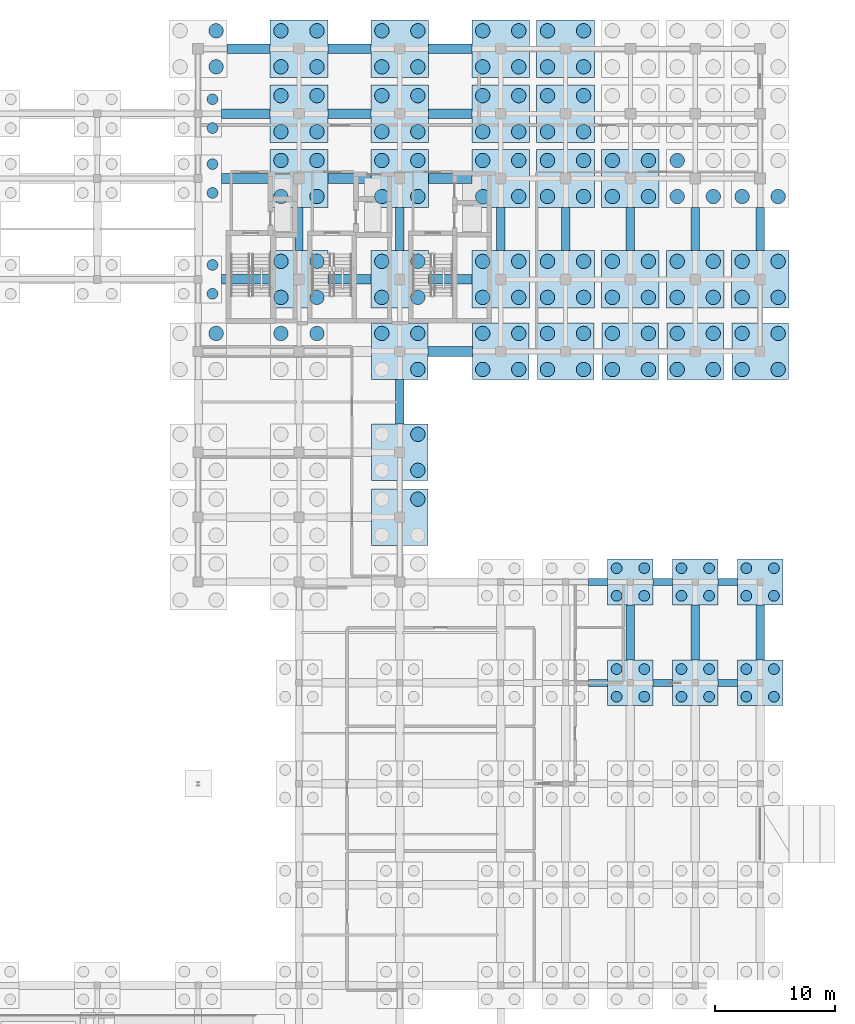
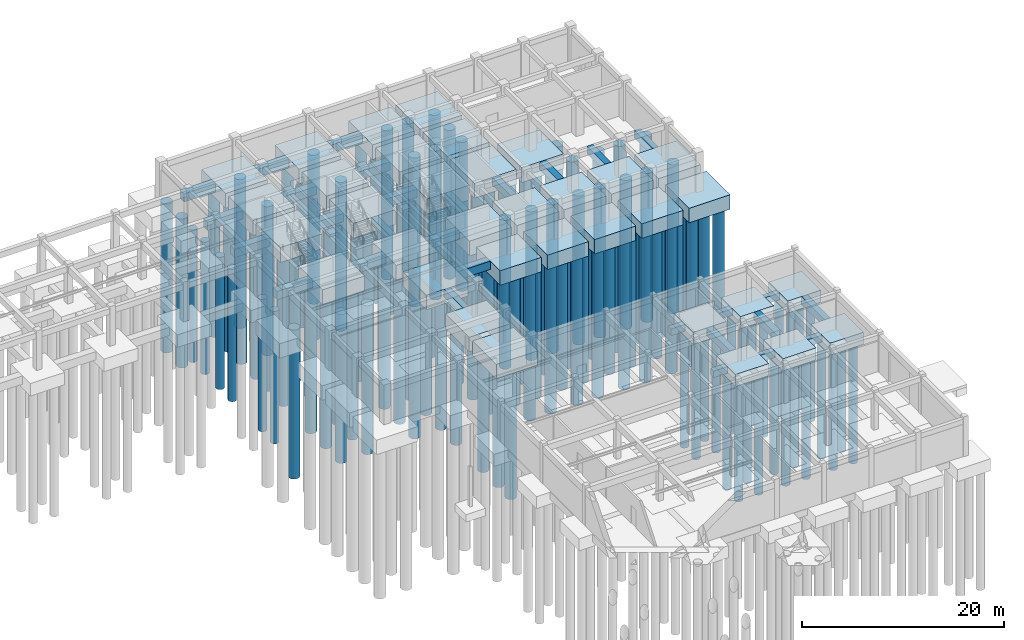
# One storey, part 9 of 49: 146 piles, 64 footings.
"""IFC4 building model written with IfcOpenShell, lengths in metres."""

from ifc_helpers import new_model, si_unit, direction, frame, origin, origin_2d, place, context, subcontext, project, spatial, rectangle, circle, extrude, material, material_profile, profile_set, type_object, element, save


model = new_model("IFC4")

# Units and contexts
model_context = context("Model", 3, precision=1e-05, world=origin(), true_north=direction((0.0, 1.0)))
body_context = subcontext(model_context, "Body", "Model", "MODEL_VIEW")
ifc_project = project(units=[si_unit("LENGTHUNIT", "METRE"), si_unit("AREAUNIT", "SQUARE_METRE"), si_unit("VOLUMEUNIT", "CUBIC_METRE"), si_unit("PLANEANGLEUNIT", "RADIAN"), si_unit("MASSUNIT", "GRAM", prefix="KILO")], contexts=[model_context])

# Site, building, storey
site_placement = place(None, origin())
site = spatial("IfcSite", under=ifc_project, at=site_placement, CompositionType="ELEMENT")
building_placement = place(site_placement, origin())
building = spatial("IfcBuilding", under=site, at=building_placement, Name="Krzemoval Escarpment Law Courts", CompositionType="ELEMENT")
storey_placement = place(building_placement, frame((0.0, 0.0, -4.800048828125)))
storey = spatial("IfcBuildingStorey", under=building, at=storey_placement, Name="B1", CompositionType="ELEMENT", Elevation=-4.800048828125)

# Footings
ifc_material_1 = material(Name="Concrete C35/45", Category="concrete")
footing_type_1 = type_object("IfcFootingType", Name="CAP-4P-3800x3800x1450", PredefinedType="PILE_CAP", material=ifc_material_1)
for number, where, z_axis, x_axis, name in (
    (1, (162.0, 66.0, -1.44970703125), (0.0, 0.0, 1.0), (1.0, 0.0, 0.0), "Pile Cap FC-245"),
    (2, (162.0, 74.39990234375, -1.44970703125), (0.0, 0.0, 1.0), (1.0, 0.0, 0.0), "Pile Cap FC-246"),
    (3, (167.39990234375, 66.0, -1.44970703125), (0.0, 0.0, 1.0), (1.0, 0.0, 0.0), "Pile Cap FC-255"),
    (4, (167.39990234375, 74.39990234375, -1.44970703125), (0.0, 0.0, 1.0), (1.0, 0.0, 0.0), "Pile Cap FC-256"),
    (5, (172.800048828125, 66.0, -1.44970703125), (0.0, 0.0, 1.0), (1.0, 0.0, 0.0), "Pile Cap FC-265"),
    (6, (172.800048828125, 74.39990234375, -1.44970703125), (0.0, 0.0, 1.0), (1.0, 0.0, 0.0), "Pile Cap FC-266"),
):
    element("IfcFooting", number, at=place(storey_placement, frame(where, z_axis=z_axis, x_axis=x_axis)), inside=storey, type_object=footing_type_1, Name=name, PredefinedType="PILE_CAP", context=body_context, shape_type="SweptSolid", body=[
        extrude(rectangle(XDim=3.800048828125, YDim=3.800048828125, at=origin_2d()), origin(), (0.0, 0.0, 1.0), 1.449951171875),
    ])
ifc_material_2 = material(Name="Concrete C35/45", Category="concrete")
footing_type_2 = type_object("IfcFootingType", Name="CAP-4P-4700x4700x1750", PredefinedType="PILE_CAP", material=ifc_material_2)
for number, where, z_axis, x_axis, name in (
    (7, (142.800048828125, 79.800048828125, -1.75), (0.0, 0.0, 1.0), (1.0, 0.0, 0.0), "Pile Cap FC-210"),
    (8, (142.800048828125, 85.199951171875, -1.75), (0.0, 0.0, 1.0), (1.0, 0.0, 0.0), "Pile Cap FC-211"),
    (9, (142.800048828125, 93.60009765625, -1.75), (0.0, 0.0, 1.0), (1.0, 0.0, 0.0), "Pile Cap FC-212"),
    (10, (151.199951171875, 93.60009765625, -1.75), (0.0, 0.0, 1.0), (1.0, 0.0, 0.0), "Pile Cap FC-227"),
    (11, (156.60009765625, 93.60009765625, -1.75), (0.0, 0.0, 1.0), (1.0, 0.0, 0.0), "Pile Cap FC-237"),
    (12, (162.0, 93.60009765625, -1.75), (0.0, 0.0, 1.0), (1.0, 0.0, 0.0), "Pile Cap FC-247"),
    (13, (167.39990234375, 93.60009765625, -1.75), (0.0, 0.0, 1.0), (1.0, 0.0, 0.0), "Pile Cap FC-257"),
    (14, (172.800048828125, 93.60009765625, -1.75), (0.0, 0.0, 1.0), (1.0, 0.0, 0.0), "Pile Cap FC-267"),
):
    element("IfcFooting", number, at=place(storey_placement, frame(where, z_axis=z_axis, x_axis=x_axis)), inside=storey, type_object=footing_type_2, Name=name, PredefinedType="PILE_CAP", context=body_context, shape_type="SweptSolid", body=[
        extrude(rectangle(XDim=4.699951171875, YDim=4.699951171875, at=origin_2d()), origin(), (0.0, 0.0, 1.0), 1.75),
    ])
ifc_material_3 = material(Name="Concrete C35/45", Category="concrete")
footing_type_3 = type_object("IfcFootingType", Name="CAP-4P-4800x4800x1800", PredefinedType="PILE_CAP", material=ifc_material_3)
for number, where, z_axis, x_axis, name in (
    (15, (134.39990234375, 99.60009765625, -1.7998046875), (0.0, 0.0, 1.0), (1.0, 0.0, 0.0), "Pile Cap FC-196"),
    (16, (134.39990234375, 108.0, -1.7998046875), (0.0, 0.0, 1.0), (1.0, 0.0, 0.0), "Pile Cap FC-197"),
    (17, (134.39990234375, 113.39990234375, -1.7998046875), (0.0, 0.0, 1.0), (1.0, 0.0, 0.0), "Pile Cap FC-198"),
    (18, (134.39990234375, 118.800048828125, -1.7998046875), (0.0, 0.0, 1.0), (1.0, 0.0, 0.0), "Pile Cap FC-199"),
    (19, (142.800048828125, 99.60009765625, -1.7998046875), (0.0, 0.0, 1.0), (1.0, 0.0, 0.0), "Pile Cap FC-213"),
    (20, (142.800048828125, 108.0, -1.7998046875), (0.0, 0.0, 1.0), (1.0, 0.0, 0.0), "Pile Cap FC-214"),
    (21, (142.800048828125, 113.39990234375, -1.7998046875), (0.0, 0.0, 1.0), (1.0, 0.0, 0.0), "Pile Cap FC-215"),
    (22, (142.800048828125, 118.800048828125, -1.7998046875), (0.0, 0.0, 1.0), (1.0, 0.0, 0.0), "Pile Cap FC-216"),
    (23, (151.199951171875, 99.60009765625, -1.7998046875), (0.0, 0.0, 1.0), (1.0, 0.0, 0.0), "Pile Cap FC-228"),
    (24, (151.199951171875, 108.0, -1.7998046875), (0.0, 0.0, 1.0), (1.0, 0.0, 0.0), "Pile Cap FC-229"),
    (25, (151.199951171875, 113.39990234375, -1.7998046875), (0.0, 0.0, 1.0), (1.0, 0.0, 0.0), "Pile Cap FC-230"),
    (26, (151.199951171875, 118.800048828125, -1.7998046875), (0.0, 0.0, 1.0), (1.0, 0.0, 0.0), "Pile Cap FC-231"),
    (27, (156.60009765625, 99.60009765625, -1.7998046875), (0.0, 0.0, 1.0), (1.0, 0.0, 0.0), "Pile Cap FC-238"),
    (28, (156.60009765625, 108.0, -1.7998046875), (0.0, 0.0, 1.0), (1.0, 0.0, 0.0), "Pile Cap FC-239"),
    (29, (156.60009765625, 113.39990234375, -1.7998046875), (0.0, 0.0, 1.0), (1.0, 0.0, 0.0), "Pile Cap FC-240"),
    (30, (156.60009765625, 118.800048828125, -1.7998046875), (0.0, 0.0, 1.0), (1.0, 0.0, 0.0), "Pile Cap FC-241"),
    (31, (162.0, 99.60009765625, -1.7998046875), (0.0, 0.0, 1.0), (1.0, 0.0, 0.0), "Pile Cap FC-248"),
    (32, (162.0, 108.0, -1.7998046875), (0.0, 0.0, 1.0), (1.0, 0.0, 0.0), "Pile Cap FC-249"),
    (33, (167.39990234375, 99.60009765625, -1.7998046875), (0.0, 0.0, 1.0), (1.0, 0.0, 0.0), "Pile Cap FC-258"),
    (34, (172.800048828125, 99.60009765625, -1.7998046875), (0.0, 0.0, 1.0), (1.0, 0.0, 0.0), "Pile Cap FC-268"),
):
    element("IfcFooting", number, at=place(storey_placement, frame(where, z_axis=z_axis, x_axis=x_axis)), inside=storey, type_object=footing_type_3, Name=name, PredefinedType="PILE_CAP", context=body_context, shape_type="SweptSolid", body=[
        extrude(rectangle(XDim=4.800048828125, YDim=4.800048828125, at=origin_2d()), origin(), (0.0, 0.0, 1.0), 1.800048828125),
    ])
ifc_material_4 = material(Name="Concrete C35/45", Category="concrete")
footing_type_4 = type_object("IfcFootingType", Name="GB-600x800-L1600", PredefinedType="FOOTING_BEAM", material=ifc_material_4)
for number, where, z_axis, x_axis, name in (
    (35, (159.300048828125, 66.0, -0.7998046875), (0.0, 0.0, 1.0), (1.0, 0.0, 0.0), "Ground Tie Beam GB-119"),
    (36, (164.699951171875, 66.0, -0.7998046875), (0.0, 0.0, 1.0), (1.0, 0.0, 0.0), "Ground Tie Beam GB-120"),
    (37, (170.10009765625, 66.0, -0.7998046875), (0.0, 0.0, 1.0), (1.0, 0.0, 0.0), "Ground Tie Beam GB-121"),
    (38, (159.300048828125, 74.39990234375, -0.7998046875), (0.0, 0.0, 1.0), (1.0, 0.0, 0.0), "Ground Tie Beam GB-130"),
    (39, (164.699951171875, 74.39990234375, -0.7998046875), (0.0, 0.0, 1.0), (1.0, 0.0, 0.0), "Ground Tie Beam GB-131"),
    (40, (170.10009765625, 74.39990234375, -0.7998046875), (0.0, 0.0, 1.0), (1.0, 0.0, 0.0), "Ground Tie Beam GB-132"),
):
    element("IfcFooting", number, at=place(storey_placement, frame(where, z_axis=z_axis, x_axis=x_axis)), inside=storey, type_object=footing_type_4, Name=name, PredefinedType="FOOTING_BEAM", context=body_context, shape_type="SweptSolid", body=[
        extrude(rectangle(XDim=1.60009765625, YDim=0.60009765625, at=origin_2d()), origin(), (0.0, 0.0, 1.0), 0.800048828125),
    ])
ifc_material_5 = material(Name="Concrete C35/45", Category="concrete")
footing_type_5 = type_object("IfcFootingType", Name="GB-700x900-L3600", PredefinedType="FOOTING_BEAM", material=ifc_material_5)
for number, where, z_axis, x_axis, name in (
    (41, (134.39990234375, 103.800048828125, -0.89990234375), (0.0, 0.0, 1.0), (0.0, 1.0, 0.0), "Ground Tie Beam GB-364"),
    (42, (142.800048828125, 103.800048828125, -0.89990234375), (0.0, 0.0, 1.0), (0.0, 1.0, 0.0), "Ground Tie Beam GB-374"),
    (43, (151.199951171875, 103.800048828125, -0.89990234375), (0.0, 0.0, 1.0), (0.0, 1.0, 0.0), "Ground Tie Beam GB-383"),
    (44, (156.60009765625, 103.800048828125, -0.89990234375), (0.0, 0.0, 1.0), (0.0, 1.0, 0.0), "Ground Tie Beam GB-388"),
    (45, (162.0, 103.800048828125, -0.89990234375), (0.0, 0.0, 1.0), (0.0, 1.0, 0.0), "Ground Tie Beam GB-393"),
    (46, (167.39990234375, 103.800048828125, -0.89990234375), (0.0, 0.0, 1.0), (0.0, 1.0, 0.0), "Ground Tie Beam GB-398"),
    (47, (172.800048828125, 103.800048828125, -0.89990234375), (0.0, 0.0, 1.0), (0.0, 1.0, 0.0), "Ground Tie Beam GB-403"),
):
    element("IfcFooting", number, at=place(storey_placement, frame(where, z_axis=z_axis, x_axis=x_axis)), inside=storey, type_object=footing_type_5, Name=name, PredefinedType="FOOTING_BEAM", context=body_context, shape_type="SweptSolid", body=[
        extrude(rectangle(XDim=3.60009765625, YDim=0.699951171875, at=origin_2d()), origin(), (0.0, 0.0, 1.0), 0.89990234375),
    ])
ifc_material_6 = material(Name="Concrete C35/45", Category="concrete")
footing_type_6 = type_object("IfcFootingType", Name="GB-700x900-L3700", PredefinedType="FOOTING_BEAM", material=ifc_material_6)
footing_1_placement = place(storey_placement, frame((142.800048828125, 89.39990234375, -0.89990234375), z_axis=(0.0, 0.0, 1.0), x_axis=(0.0, 1.0, 0.0)))
element("IfcFooting", 48, at=footing_1_placement, inside=storey, type_object=footing_type_6, Name="Ground Tie Beam GB-373", PredefinedType="FOOTING_BEAM", context=body_context, shape_type="SweptSolid", body=[
    extrude(rectangle(XDim=3.699951171875, YDim=0.699951171875, at=origin_2d()), origin(), (0.0, 0.0, 1.0), 0.89990234375),
])
ifc_material_7 = material(Name="Concrete C35/45", Category="concrete")
footing_type_7 = type_object("IfcFootingType", Name="GB-700x900-L4600", PredefinedType="FOOTING_BEAM", material=ifc_material_7)
for number, where, z_axis, x_axis, name in (
    (49, (162.0, 70.199951171875, -0.89990234375), (0.0, 0.0, 1.0), (0.0, 1.0, 0.0), "Ground Tie Beam GB-392"),
    (50, (167.39990234375, 70.199951171875, -0.89990234375), (0.0, 0.0, 1.0), (0.0, 1.0, 0.0), "Ground Tie Beam GB-397"),
    (51, (172.800048828125, 70.199951171875, -0.89990234375), (0.0, 0.0, 1.0), (0.0, 1.0, 0.0), "Ground Tie Beam GB-402"),
):
    element("IfcFooting", number, at=place(storey_placement, frame(where, z_axis=z_axis, x_axis=x_axis)), inside=storey, type_object=footing_type_7, Name=name, PredefinedType="FOOTING_BEAM", context=body_context, shape_type="SweptSolid", body=[
        extrude(rectangle(XDim=4.60009765625, YDim=0.699951171875, at=origin_2d()), origin(), (0.0, 0.0, 1.0), 0.89990234375),
    ])
ifc_material_8 = material(Name="Concrete C35/45", Category="concrete")
footing_type_8 = type_object("IfcFootingType", Name="GB-800x1000-L3600", PredefinedType="FOOTING_BEAM", material=ifc_material_8)
for number, where, z_axis, x_axis, name in (
    (52, (138.60009765625, 99.60009765625, -1.0), (0.0, 0.0, 1.0), (1.0, 0.0, 0.0), "Ground Tie Beam GB-168"),
    (53, (147.0, 99.60009765625, -1.0), (0.0, 0.0, 1.0), (1.0, 0.0, 0.0), "Ground Tie Beam GB-169"),
    (54, (138.60009765625, 108.0, -1.0), (0.0, 0.0, 1.0), (1.0, 0.0, 0.0), "Ground Tie Beam GB-186"),
    (55, (147.0, 108.0, -1.0), (0.0, 0.0, 1.0), (1.0, 0.0, 0.0), "Ground Tie Beam GB-187"),
    (56, (138.60009765625, 113.39990234375, -1.0), (0.0, 0.0, 1.0), (1.0, 0.0, 0.0), "Ground Tie Beam GB-204"),
    (57, (147.0, 113.39990234375, -1.0), (0.0, 0.0, 1.0), (1.0, 0.0, 0.0), "Ground Tie Beam GB-205"),
    (58, (130.199951171875, 118.800048828125, -1.0), (0.0, 0.0, 1.0), (1.0, 0.0, 0.0), "Ground Tie Beam GB-211"),
    (59, (138.60009765625, 118.800048828125, -1.0), (0.0, 0.0, 1.0), (1.0, 0.0, 0.0), "Ground Tie Beam GB-212"),
    (60, (147.0, 118.800048828125, -1.0), (0.0, 0.0, 1.0), (1.0, 0.0, 0.0), "Ground Tie Beam GB-213"),
):
    element("IfcFooting", number, at=place(storey_placement, frame(where, z_axis=z_axis, x_axis=x_axis)), inside=storey, type_object=footing_type_8, Name=name, PredefinedType="FOOTING_BEAM", context=body_context, shape_type="SweptSolid", body=[
        extrude(rectangle(XDim=3.60009765625, YDim=0.800048828125, at=origin_2d()), origin(), (0.0, 0.0, 1.0), 1.0),
    ])
ifc_material_9 = material(Name="Concrete C35/45", Category="concrete")
footing_type_9 = type_object("IfcFootingType", Name="GB-800x1000-L3700", PredefinedType="FOOTING_BEAM", material=ifc_material_9)
footing_2_placement = place(storey_placement, frame((147.0, 93.60009765625, -1.0), z_axis=(0.0, 0.0, 1.0), x_axis=(1.0, 0.0, 0.0)))
element("IfcFooting", 61, at=footing_2_placement, inside=storey, type_object=footing_type_9, Name="Ground Tie Beam GB-151", PredefinedType="FOOTING_BEAM", context=body_context, shape_type="SweptSolid", body=[
    extrude(rectangle(XDim=3.699951171875, YDim=0.800048828125, at=origin_2d()), origin(), (0.0, 0.0, 1.0), 1.0),
])
ifc_material_10 = material(Name="Concrete C35/45", Category="concrete")
footing_type_10 = type_object("IfcFootingType", Name="GB-800x1000-L4050", PredefinedType="FOOTING_BEAM", material=ifc_material_10)
for number, where, z_axis, x_axis, name in (
    (62, (129.97509765625, 99.60009765625, -1.0), (0.0, 0.0, 1.0), (1.0, 0.0, 0.0), "Ground Tie Beam GB-167"),
    (63, (129.97509765625, 108.0, -1.0), (0.0, 0.0, 1.0), (1.0, 0.0, 0.0), "Ground Tie Beam GB-185"),
    (64, (129.97509765625, 113.39990234375, -1.0), (0.0, 0.0, 1.0), (1.0, 0.0, 0.0), "Ground Tie Beam GB-203"),
):
    element("IfcFooting", number, at=place(storey_placement, frame(where, z_axis=z_axis, x_axis=x_axis)), inside=storey, type_object=footing_type_10, Name=name, PredefinedType="FOOTING_BEAM", context=body_context, shape_type="SweptSolid", body=[
        extrude(rectangle(XDim=4.050048828125, YDim=0.800048828125, at=origin_2d()), origin(), (0.0, 0.0, 1.0), 1.0),
    ])

# Piles
ifc_material_11 = material(Name="Concrete C35/45", Category="concrete")
ifc_material_profile_1 = material_profile(ifc_material_11, circle(Radius=0.60009765625, at=origin_2d()), Name="PILE D1200")
ifc_profile_set_1 = profile_set([ifc_material_profile_1], Name="Concrete C35/45")
pile_type_1 = type_object("IfcPileType", Name="PILE-D1200-18M", PredefinedType="BORED", material=ifc_profile_set_1)
for number, where, z_axis, x_axis, name in (
    (65, (127.5, 95.10009765625, -1.599853515625), (0.0, 0.0, -1.0), (1.0, 0.0, 0.0), "Bored Pile FP-0654"),
    (66, (127.5, 117.300048828125, -1.64990234375), (0.0, 0.0, -1.0), (1.0, 0.0, 0.0), "Bored Pile FP-0668"),
    (67, (127.5, 120.300048828125, -1.64990234375), (0.0, 0.0, -1.0), (1.0, 0.0, 0.0), "Bored Pile FP-0670"),
    (68, (132.89990234375, 95.10009765625, -1.599853515625), (0.0, 0.0, -1.0), (1.0, 0.0, 0.0), "Bored Pile FP-0721"),
    (69, (135.89990234375, 95.10009765625, -1.599853515625), (0.0, 0.0, -1.0), (1.0, 0.0, 0.0), "Bored Pile FP-0722"),
    (70, (132.89990234375, 98.10009765625, -1.64990234375), (0.0, 0.0, -1.0), (1.0, 0.0, 0.0), "Bored Pile FP-0723"),
    (71, (135.89990234375, 98.10009765625, -1.64990234375), (0.0, 0.0, -1.0), (1.0, 0.0, 0.0), "Bored Pile FP-0724"),
    (72, (132.89990234375, 101.10009765625, -1.64990234375), (0.0, 0.0, -1.0), (1.0, 0.0, 0.0), "Bored Pile FP-0725"),
    (73, (135.89990234375, 101.10009765625, -1.64990234375), (0.0, 0.0, -1.0), (1.0, 0.0, 0.0), "Bored Pile FP-0726"),
    (74, (132.89990234375, 106.5, -1.64990234375), (0.0, 0.0, -1.0), (1.0, 0.0, 0.0), "Bored Pile FP-0727"),
    (75, (135.89990234375, 106.5, -1.64990234375), (0.0, 0.0, -1.0), (1.0, 0.0, 0.0), "Bored Pile FP-0728"),
    (76, (132.89990234375, 109.5, -1.64990234375), (0.0, 0.0, -1.0), (1.0, 0.0, 0.0), "Bored Pile FP-0729"),
    (77, (135.89990234375, 109.5, -1.64990234375), (0.0, 0.0, -1.0), (1.0, 0.0, 0.0), "Bored Pile FP-0730"),
    (78, (132.89990234375, 111.89990234375, -1.64990234375), (0.0, 0.0, -1.0), (1.0, 0.0, 0.0), "Bored Pile FP-0731"),
    (79, (135.89990234375, 111.89990234375, -1.64990234375), (0.0, 0.0, -1.0), (1.0, 0.0, 0.0), "Bored Pile FP-0732"),
    (80, (132.89990234375, 114.89990234375, -1.64990234375), (0.0, 0.0, -1.0), (1.0, 0.0, 0.0), "Bored Pile FP-0733"),
    (81, (135.89990234375, 114.89990234375, -1.64990234375), (0.0, 0.0, -1.0), (1.0, 0.0, 0.0), "Bored Pile FP-0734"),
    (82, (132.89990234375, 117.300048828125, -1.64990234375), (0.0, 0.0, -1.0), (1.0, 0.0, 0.0), "Bored Pile FP-0735"),
    (83, (135.89990234375, 117.300048828125, -1.64990234375), (0.0, 0.0, -1.0), (1.0, 0.0, 0.0), "Bored Pile FP-0736"),
    (84, (132.89990234375, 120.300048828125, -1.64990234375), (0.0, 0.0, -1.0), (1.0, 0.0, 0.0), "Bored Pile FP-0737"),
    (85, (135.89990234375, 120.300048828125, -1.64990234375), (0.0, 0.0, -1.0), (1.0, 0.0, 0.0), "Bored Pile FP-0738"),
    (86, (144.300048828125, 81.300048828125, -1.599853515625), (0.0, 0.0, -1.0), (1.0, 0.0, 0.0), "Bored Pile FP-0782"),
    (87, (144.300048828125, 83.699951171875, -1.599853515625), (0.0, 0.0, -1.0), (1.0, 0.0, 0.0), "Bored Pile FP-0784"),
    (88, (144.300048828125, 86.699951171875, -1.599853515625), (0.0, 0.0, -1.0), (1.0, 0.0, 0.0), "Bored Pile FP-0786"),
    (89, (144.300048828125, 92.10009765625, -1.599853515625), (0.0, 0.0, -1.0), (1.0, 0.0, 0.0), "Bored Pile FP-0788"),
    (90, (141.300048828125, 95.10009765625, -1.599853515625), (0.0, 0.0, -1.0), (1.0, 0.0, 0.0), "Bored Pile FP-0789"),
    (91, (144.300048828125, 95.10009765625, -1.599853515625), (0.0, 0.0, -1.0), (1.0, 0.0, 0.0), "Bored Pile FP-0790"),
    (92, (141.300048828125, 98.10009765625, -1.64990234375), (0.0, 0.0, -1.0), (1.0, 0.0, 0.0), "Bored Pile FP-0791"),
    (93, (144.300048828125, 98.10009765625, -1.64990234375), (0.0, 0.0, -1.0), (1.0, 0.0, 0.0), "Bored Pile FP-0792"),
    (94, (141.300048828125, 101.10009765625, -1.64990234375), (0.0, 0.0, -1.0), (1.0, 0.0, 0.0), "Bored Pile FP-0793"),
    (95, (144.300048828125, 101.10009765625, -1.64990234375), (0.0, 0.0, -1.0), (1.0, 0.0, 0.0), "Bored Pile FP-0794"),
    (96, (141.300048828125, 106.5, -1.64990234375), (0.0, 0.0, -1.0), (1.0, 0.0, 0.0), "Bored Pile FP-0795"),
    (97, (144.300048828125, 106.5, -1.64990234375), (0.0, 0.0, -1.0), (1.0, 0.0, 0.0), "Bored Pile FP-0796"),
    (98, (141.300048828125, 109.5, -1.64990234375), (0.0, 0.0, -1.0), (1.0, 0.0, 0.0), "Bored Pile FP-0797"),
    (99, (144.300048828125, 109.5, -1.64990234375), (0.0, 0.0, -1.0), (1.0, 0.0, 0.0), "Bored Pile FP-0798"),
    (100, (141.300048828125, 111.89990234375, -1.64990234375), (0.0, 0.0, -1.0), (1.0, 0.0, 0.0), "Bored Pile FP-0799"),
    (101, (144.300048828125, 111.89990234375, -1.64990234375), (0.0, 0.0, -1.0), (1.0, 0.0, 0.0), "Bored Pile FP-0800"),
    (102, (141.300048828125, 114.89990234375, -1.64990234375), (0.0, 0.0, -1.0), (1.0, 0.0, 0.0), "Bored Pile FP-0801"),
    (103, (144.300048828125, 114.89990234375, -1.64990234375), (0.0, 0.0, -1.0), (1.0, 0.0, 0.0), "Bored Pile FP-0802"),
    (104, (141.300048828125, 117.300048828125, -1.64990234375), (0.0, 0.0, -1.0), (1.0, 0.0, 0.0), "Bored Pile FP-0803"),
    (105, (144.300048828125, 117.300048828125, -1.64990234375), (0.0, 0.0, -1.0), (1.0, 0.0, 0.0), "Bored Pile FP-0804"),
    (106, (141.300048828125, 120.300048828125, -1.64990234375), (0.0, 0.0, -1.0), (1.0, 0.0, 0.0), "Bored Pile FP-0805"),
    (107, (144.300048828125, 120.300048828125, -1.64990234375), (0.0, 0.0, -1.0), (1.0, 0.0, 0.0), "Bored Pile FP-0806"),
    (108, (149.699951171875, 92.10009765625, -1.599853515625), (0.0, 0.0, -1.0), (1.0, 0.0, 0.0), "Bored Pile FP-0847"),
    (109, (152.699951171875, 92.10009765625, -1.599853515625), (0.0, 0.0, -1.0), (1.0, 0.0, 0.0), "Bored Pile FP-0848"),
    (110, (149.699951171875, 95.10009765625, -1.599853515625), (0.0, 0.0, -1.0), (1.0, 0.0, 0.0), "Bored Pile FP-0849"),
    (111, (152.699951171875, 95.10009765625, -1.599853515625), (0.0, 0.0, -1.0), (1.0, 0.0, 0.0), "Bored Pile FP-0850"),
    (112, (149.699951171875, 98.10009765625, -1.64990234375), (0.0, 0.0, -1.0), (1.0, 0.0, 0.0), "Bored Pile FP-0851"),
    (113, (152.699951171875, 98.10009765625, -1.64990234375), (0.0, 0.0, -1.0), (1.0, 0.0, 0.0), "Bored Pile FP-0852"),
    (114, (149.699951171875, 101.10009765625, -1.64990234375), (0.0, 0.0, -1.0), (1.0, 0.0, 0.0), "Bored Pile FP-0853"),
    (115, (152.699951171875, 101.10009765625, -1.64990234375), (0.0, 0.0, -1.0), (1.0, 0.0, 0.0), "Bored Pile FP-0854"),
    (116, (149.699951171875, 106.5, -1.64990234375), (0.0, 0.0, -1.0), (1.0, 0.0, 0.0), "Bored Pile FP-0855"),
    (117, (152.699951171875, 106.5, -1.64990234375), (0.0, 0.0, -1.0), (1.0, 0.0, 0.0), "Bored Pile FP-0856"),
    (118, (149.699951171875, 109.5, -1.64990234375), (0.0, 0.0, -1.0), (1.0, 0.0, 0.0), "Bored Pile FP-0857"),
    (119, (152.699951171875, 109.5, -1.64990234375), (0.0, 0.0, -1.0), (1.0, 0.0, 0.0), "Bored Pile FP-0858"),
    (120, (149.699951171875, 111.89990234375, -1.64990234375), (0.0, 0.0, -1.0), (1.0, 0.0, 0.0), "Bored Pile FP-0859"),
    (121, (152.699951171875, 111.89990234375, -1.64990234375), (0.0, 0.0, -1.0), (1.0, 0.0, 0.0), "Bored Pile FP-0860"),
    (122, (149.699951171875, 114.89990234375, -1.64990234375), (0.0, 0.0, -1.0), (1.0, 0.0, 0.0), "Bored Pile FP-0861"),
    (123, (152.699951171875, 114.89990234375, -1.64990234375), (0.0, 0.0, -1.0), (1.0, 0.0, 0.0), "Bored Pile FP-0862"),
    (124, (149.699951171875, 117.300048828125, -1.64990234375), (0.0, 0.0, -1.0), (1.0, 0.0, 0.0), "Bored Pile FP-0863"),
    (125, (152.699951171875, 117.300048828125, -1.64990234375), (0.0, 0.0, -1.0), (1.0, 0.0, 0.0), "Bored Pile FP-0864"),
    (126, (149.699951171875, 120.300048828125, -1.64990234375), (0.0, 0.0, -1.0), (1.0, 0.0, 0.0), "Bored Pile FP-0865"),
    (127, (152.699951171875, 120.300048828125, -1.64990234375), (0.0, 0.0, -1.0), (1.0, 0.0, 0.0), "Bored Pile FP-0866"),
    (128, (155.10009765625, 92.10009765625, -1.599853515625), (0.0, 0.0, -1.0), (1.0, 0.0, 0.0), "Bored Pile FP-0887"),
    (129, (158.10009765625, 92.10009765625, -1.599853515625), (0.0, 0.0, -1.0), (1.0, 0.0, 0.0), "Bored Pile FP-0888"),
    (130, (155.10009765625, 95.10009765625, -1.599853515625), (0.0, 0.0, -1.0), (1.0, 0.0, 0.0), "Bored Pile FP-0889"),
    (131, (158.10009765625, 95.10009765625, -1.599853515625), (0.0, 0.0, -1.0), (1.0, 0.0, 0.0), "Bored Pile FP-0890"),
    (132, (155.10009765625, 98.10009765625, -1.64990234375), (0.0, 0.0, -1.0), (1.0, 0.0, 0.0), "Bored Pile FP-0891"),
    (133, (158.10009765625, 98.10009765625, -1.64990234375), (0.0, 0.0, -1.0), (1.0, 0.0, 0.0), "Bored Pile FP-0892"),
    (134, (155.10009765625, 101.10009765625, -1.64990234375), (0.0, 0.0, -1.0), (1.0, 0.0, 0.0), "Bored Pile FP-0893"),
    (135, (158.10009765625, 101.10009765625, -1.64990234375), (0.0, 0.0, -1.0), (1.0, 0.0, 0.0), "Bored Pile FP-0894"),
    (136, (155.10009765625, 106.5, -1.64990234375), (0.0, 0.0, -1.0), (1.0, 0.0, 0.0), "Bored Pile FP-0895"),
    (137, (158.10009765625, 106.5, -1.64990234375), (0.0, 0.0, -1.0), (1.0, 0.0, 0.0), "Bored Pile FP-0896"),
    (138, (155.10009765625, 109.5, -1.64990234375), (0.0, 0.0, -1.0), (1.0, 0.0, 0.0), "Bored Pile FP-0897"),
    (139, (158.10009765625, 109.5, -1.64990234375), (0.0, 0.0, -1.0), (1.0, 0.0, 0.0), "Bored Pile FP-0898"),
    (140, (155.10009765625, 111.89990234375, -1.64990234375), (0.0, 0.0, -1.0), (1.0, 0.0, 0.0), "Bored Pile FP-0899"),
    (141, (158.10009765625, 111.89990234375, -1.64990234375), (0.0, 0.0, -1.0), (1.0, 0.0, 0.0), "Bored Pile FP-0900"),
    (142, (155.10009765625, 114.89990234375, -1.64990234375), (0.0, 0.0, -1.0), (1.0, 0.0, 0.0), "Bored Pile FP-0901"),
    (143, (158.10009765625, 114.89990234375, -1.64990234375), (0.0, 0.0, -1.0), (1.0, 0.0, 0.0), "Bored Pile FP-0902"),
    (144, (155.10009765625, 117.300048828125, -1.64990234375), (0.0, 0.0, -1.0), (1.0, 0.0, 0.0), "Bored Pile FP-0903"),
    (145, (158.10009765625, 117.300048828125, -1.64990234375), (0.0, 0.0, -1.0), (1.0, 0.0, 0.0), "Bored Pile FP-0904"),
    (146, (155.10009765625, 120.300048828125, -1.64990234375), (0.0, 0.0, -1.0), (1.0, 0.0, 0.0), "Bored Pile FP-0905"),
    (147, (158.10009765625, 120.300048828125, -1.64990234375), (0.0, 0.0, -1.0), (1.0, 0.0, 0.0), "Bored Pile FP-0906"),
    (148, (160.5, 92.10009765625, -1.599853515625), (0.0, 0.0, -1.0), (1.0, 0.0, 0.0), "Bored Pile FP-0927"),
    (149, (163.5, 92.10009765625, -1.599853515625), (0.0, 0.0, -1.0), (1.0, 0.0, 0.0), "Bored Pile FP-0928"),
    (150, (160.5, 95.10009765625, -1.599853515625), (0.0, 0.0, -1.0), (1.0, 0.0, 0.0), "Bored Pile FP-0929"),
    (151, (163.5, 95.10009765625, -1.599853515625), (0.0, 0.0, -1.0), (1.0, 0.0, 0.0), "Bored Pile FP-0930"),
    (152, (160.5, 98.10009765625, -1.64990234375), (0.0, 0.0, -1.0), (1.0, 0.0, 0.0), "Bored Pile FP-0931"),
    (153, (163.5, 98.10009765625, -1.64990234375), (0.0, 0.0, -1.0), (1.0, 0.0, 0.0), "Bored Pile FP-0932"),
    (154, (160.5, 101.10009765625, -1.64990234375), (0.0, 0.0, -1.0), (1.0, 0.0, 0.0), "Bored Pile FP-0933"),
    (155, (163.5, 101.10009765625, -1.64990234375), (0.0, 0.0, -1.0), (1.0, 0.0, 0.0), "Bored Pile FP-0934"),
    (156, (160.5, 106.5, -1.64990234375), (0.0, 0.0, -1.0), (1.0, 0.0, 0.0), "Bored Pile FP-0935"),
    (157, (163.5, 106.5, -1.64990234375), (0.0, 0.0, -1.0), (1.0, 0.0, 0.0), "Bored Pile FP-0936"),
    (158, (160.5, 109.5, -1.64990234375), (0.0, 0.0, -1.0), (1.0, 0.0, 0.0), "Bored Pile FP-0937"),
    (159, (163.5, 109.5, -1.64990234375), (0.0, 0.0, -1.0), (1.0, 0.0, 0.0), "Bored Pile FP-0938"),
    (160, (165.89990234375, 92.10009765625, -1.599853515625), (0.0, 0.0, -1.0), (1.0, 0.0, 0.0), "Bored Pile FP-0967"),
    (161, (168.89990234375, 92.10009765625, -1.599853515625), (0.0, 0.0, -1.0), (1.0, 0.0, 0.0), "Bored Pile FP-0968"),
    (162, (165.89990234375, 95.10009765625, -1.599853515625), (0.0, 0.0, -1.0), (1.0, 0.0, 0.0), "Bored Pile FP-0969"),
    (163, (168.89990234375, 95.10009765625, -1.599853515625), (0.0, 0.0, -1.0), (1.0, 0.0, 0.0), "Bored Pile FP-0970"),
    (164, (165.89990234375, 98.10009765625, -1.64990234375), (0.0, 0.0, -1.0), (1.0, 0.0, 0.0), "Bored Pile FP-0971"),
    (165, (168.89990234375, 98.10009765625, -1.64990234375), (0.0, 0.0, -1.0), (1.0, 0.0, 0.0), "Bored Pile FP-0972"),
    (166, (165.89990234375, 101.10009765625, -1.64990234375), (0.0, 0.0, -1.0), (1.0, 0.0, 0.0), "Bored Pile FP-0973"),
    (167, (168.89990234375, 101.10009765625, -1.64990234375), (0.0, 0.0, -1.0), (1.0, 0.0, 0.0), "Bored Pile FP-0974"),
    (168, (165.89990234375, 106.5, -1.64990234375), (0.0, 0.0, -1.0), (1.0, 0.0, 0.0), "Bored Pile FP-0975"),
    (169, (168.89990234375, 106.5, -1.64990234375), (0.0, 0.0, -1.0), (1.0, 0.0, 0.0), "Bored Pile FP-0976"),
    (170, (165.89990234375, 109.5, -1.64990234375), (0.0, 0.0, -1.0), (1.0, 0.0, 0.0), "Bored Pile FP-0977"),
    (171, (171.300048828125, 92.10009765625, -1.599853515625), (0.0, 0.0, -1.0), (1.0, 0.0, 0.0), "Bored Pile FP-1007"),
    (172, (174.300048828125, 92.10009765625, -1.599853515625), (0.0, 0.0, -1.0), (1.0, 0.0, 0.0), "Bored Pile FP-1008"),
    (173, (171.300048828125, 95.10009765625, -1.599853515625), (0.0, 0.0, -1.0), (1.0, 0.0, 0.0), "Bored Pile FP-1009"),
    (174, (174.300048828125, 95.10009765625, -1.599853515625), (0.0, 0.0, -1.0), (1.0, 0.0, 0.0), "Bored Pile FP-1010"),
    (175, (171.300048828125, 98.10009765625, -1.64990234375), (0.0, 0.0, -1.0), (1.0, 0.0, 0.0), "Bored Pile FP-1011"),
    (176, (174.300048828125, 98.10009765625, -1.64990234375), (0.0, 0.0, -1.0), (1.0, 0.0, 0.0), "Bored Pile FP-1012"),
    (177, (171.300048828125, 101.10009765625, -1.64990234375), (0.0, 0.0, -1.0), (1.0, 0.0, 0.0), "Bored Pile FP-1013"),
    (178, (174.300048828125, 101.10009765625, -1.64990234375), (0.0, 0.0, -1.0), (1.0, 0.0, 0.0), "Bored Pile FP-1014"),
    (179, (171.300048828125, 106.5, -1.64990234375), (0.0, 0.0, -1.0), (1.0, 0.0, 0.0), "Bored Pile FP-1015"),
    (180, (174.300048828125, 106.5, -1.64990234375), (0.0, 0.0, -1.0), (1.0, 0.0, 0.0), "Bored Pile FP-1016"),
):
    element("IfcPile", number, at=place(storey_placement, frame(where, z_axis=z_axis, x_axis=x_axis)), inside=storey, type_object=pile_type_1, Name=name, PredefinedType="BORED", context=body_context, shape_type="SweptSolid", body=[
        extrude(circle(Radius=0.60009765625, at=origin_2d()), origin(), (0.0, 0.0, 1.0), 18.0),
    ])
ifc_material_12 = material(Name="Concrete C35/45", Category="concrete")
ifc_material_profile_2 = material_profile(ifc_material_12, circle(Radius=0.449951171875, at=origin_2d()), Name="PILE D900")
ifc_profile_set_2 = profile_set([ifc_material_profile_2], Name="Concrete C35/45")
pile_type_2 = type_object("IfcPileType", Name="PILE-D750-14M", PredefinedType="BORED", material=ifc_profile_set_2)
for number, where, z_axis, x_axis, name in (
    (181, (160.85009765625, 64.85009765625, -1.300048828125), (0.0, 0.0, -1.0), (1.0, 0.0, 0.0), "Bored Pile FP-0919"),
    (182, (163.14990234375, 64.85009765625, -1.300048828125), (0.0, 0.0, -1.0), (1.0, 0.0, 0.0), "Bored Pile FP-0920"),
    (183, (160.85009765625, 67.14990234375, -1.300048828125), (0.0, 0.0, -1.0), (1.0, 0.0, 0.0), "Bored Pile FP-0921"),
    (184, (163.14990234375, 67.14990234375, -1.300048828125), (0.0, 0.0, -1.0), (1.0, 0.0, 0.0), "Bored Pile FP-0922"),
    (185, (160.85009765625, 73.25, -1.300048828125), (0.0, 0.0, -1.0), (1.0, 0.0, 0.0), "Bored Pile FP-0923"),
    (186, (163.14990234375, 73.25, -1.300048828125), (0.0, 0.0, -1.0), (1.0, 0.0, 0.0), "Bored Pile FP-0924"),
    (187, (160.85009765625, 75.550048828125, -1.300048828125), (0.0, 0.0, -1.0), (1.0, 0.0, 0.0), "Bored Pile FP-0925"),
    (188, (163.14990234375, 75.550048828125, -1.300048828125), (0.0, 0.0, -1.0), (1.0, 0.0, 0.0), "Bored Pile FP-0926"),
    (189, (166.25, 64.85009765625, -1.300048828125), (0.0, 0.0, -1.0), (1.0, 0.0, 0.0), "Bored Pile FP-0959"),
    (190, (168.550048828125, 64.85009765625, -1.300048828125), (0.0, 0.0, -1.0), (1.0, 0.0, 0.0), "Bored Pile FP-0960"),
    (191, (166.25, 67.14990234375, -1.300048828125), (0.0, 0.0, -1.0), (1.0, 0.0, 0.0), "Bored Pile FP-0961"),
    (192, (168.550048828125, 67.14990234375, -1.300048828125), (0.0, 0.0, -1.0), (1.0, 0.0, 0.0), "Bored Pile FP-0962"),
    (193, (166.25, 73.25, -1.300048828125), (0.0, 0.0, -1.0), (1.0, 0.0, 0.0), "Bored Pile FP-0963"),
    (194, (168.550048828125, 73.25, -1.300048828125), (0.0, 0.0, -1.0), (1.0, 0.0, 0.0), "Bored Pile FP-0964"),
    (195, (166.25, 75.550048828125, -1.300048828125), (0.0, 0.0, -1.0), (1.0, 0.0, 0.0), "Bored Pile FP-0965"),
    (196, (168.550048828125, 75.550048828125, -1.300048828125), (0.0, 0.0, -1.0), (1.0, 0.0, 0.0), "Bored Pile FP-0966"),
    (197, (171.64990234375, 64.85009765625, -1.300048828125), (0.0, 0.0, -1.0), (1.0, 0.0, 0.0), "Bored Pile FP-0999"),
    (198, (173.949951171875, 64.85009765625, -1.300048828125), (0.0, 0.0, -1.0), (1.0, 0.0, 0.0), "Bored Pile FP-1000"),
    (199, (171.64990234375, 67.14990234375, -1.300048828125), (0.0, 0.0, -1.0), (1.0, 0.0, 0.0), "Bored Pile FP-1001"),
    (200, (173.949951171875, 67.14990234375, -1.300048828125), (0.0, 0.0, -1.0), (1.0, 0.0, 0.0), "Bored Pile FP-1002"),
    (201, (171.64990234375, 73.25, -1.300048828125), (0.0, 0.0, -1.0), (1.0, 0.0, 0.0), "Bored Pile FP-1003"),
    (202, (173.949951171875, 73.25, -1.300048828125), (0.0, 0.0, -1.0), (1.0, 0.0, 0.0), "Bored Pile FP-1004"),
    (203, (171.64990234375, 75.550048828125, -1.300048828125), (0.0, 0.0, -1.0), (1.0, 0.0, 0.0), "Bored Pile FP-1005"),
    (204, (173.949951171875, 75.550048828125, -1.300048828125), (0.0, 0.0, -1.0), (1.0, 0.0, 0.0), "Bored Pile FP-1006"),
):
    element("IfcPile", number, at=place(storey_placement, frame(where, z_axis=z_axis, x_axis=x_axis)), inside=storey, type_object=pile_type_2, Name=name, PredefinedType="BORED", context=body_context, shape_type="SweptSolid", body=[
        extrude(circle(Radius=0.449951171875, at=origin_2d()), origin(), (0.0, 0.0, 1.0), 14.5),
    ])
ifc_material_13 = material(Name="Concrete C35/45", Category="concrete")
ifc_material_profile_3 = material_profile(ifc_material_13, circle(Radius=0.449951171875, at=origin_2d()), Name="PILE D900")
ifc_profile_set_3 = profile_set([ifc_material_profile_3], Name="Concrete C35/45")
pile_type_3 = type_object("IfcPileType", Name="PILE-D900-16M", PredefinedType="BORED", material=ifc_profile_set_3)
for number, where, z_axis, x_axis, name in (
    (205, (127.199951171875, 98.39990234375, -1.349853515625), (0.0, 0.0, -1.0), (1.0, 0.0, 0.0), "Bored Pile FP-0656"),
    (206, (127.199951171875, 100.800048828125, -1.349853515625), (0.0, 0.0, -1.0), (1.0, 0.0, 0.0), "Bored Pile FP-0658"),
    (207, (127.199951171875, 106.800048828125, -1.349853515625), (0.0, 0.0, -1.0), (1.0, 0.0, 0.0), "Bored Pile FP-0660"),
    (208, (127.199951171875, 109.199951171875, -1.349853515625), (0.0, 0.0, -1.0), (1.0, 0.0, 0.0), "Bored Pile FP-0662"),
    (209, (127.199951171875, 112.199951171875, -1.349853515625), (0.0, 0.0, -1.0), (1.0, 0.0, 0.0), "Bored Pile FP-0664"),
    (210, (127.199951171875, 114.60009765625, -1.349853515625), (0.0, 0.0, -1.0), (1.0, 0.0, 0.0), "Bored Pile FP-0666"),
):
    element("IfcPile", number, at=place(storey_placement, frame(where, z_axis=z_axis, x_axis=x_axis)), inside=storey, type_object=pile_type_3, Name=name, PredefinedType="BORED", context=body_context, shape_type="SweptSolid", body=[
        extrude(circle(Radius=0.449951171875, at=origin_2d()), origin(), (0.0, 0.0, 1.0), 16.0),
    ])

save(model, "model.ifc")
